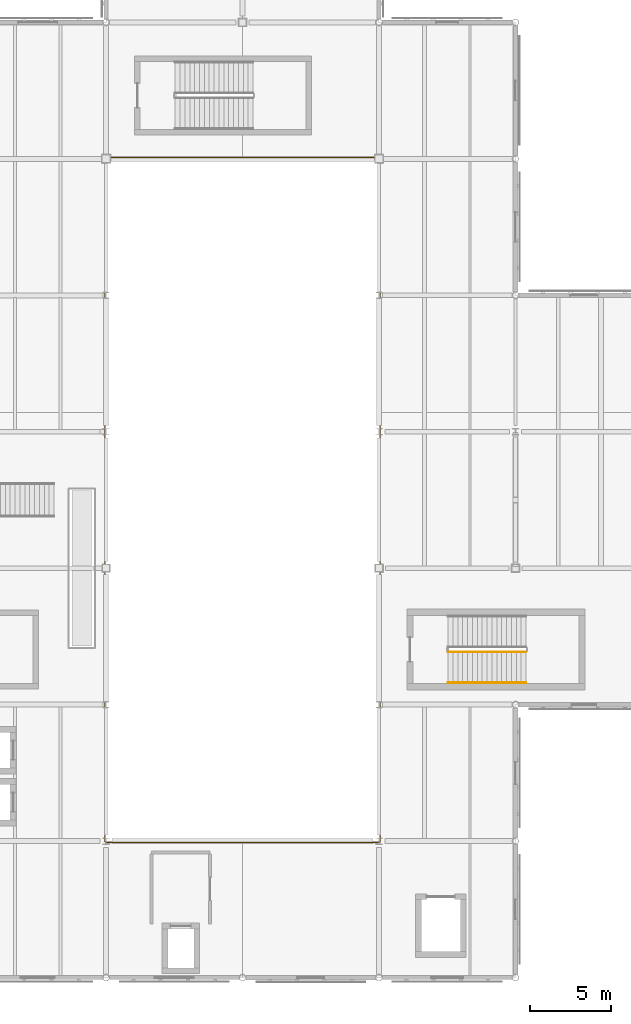
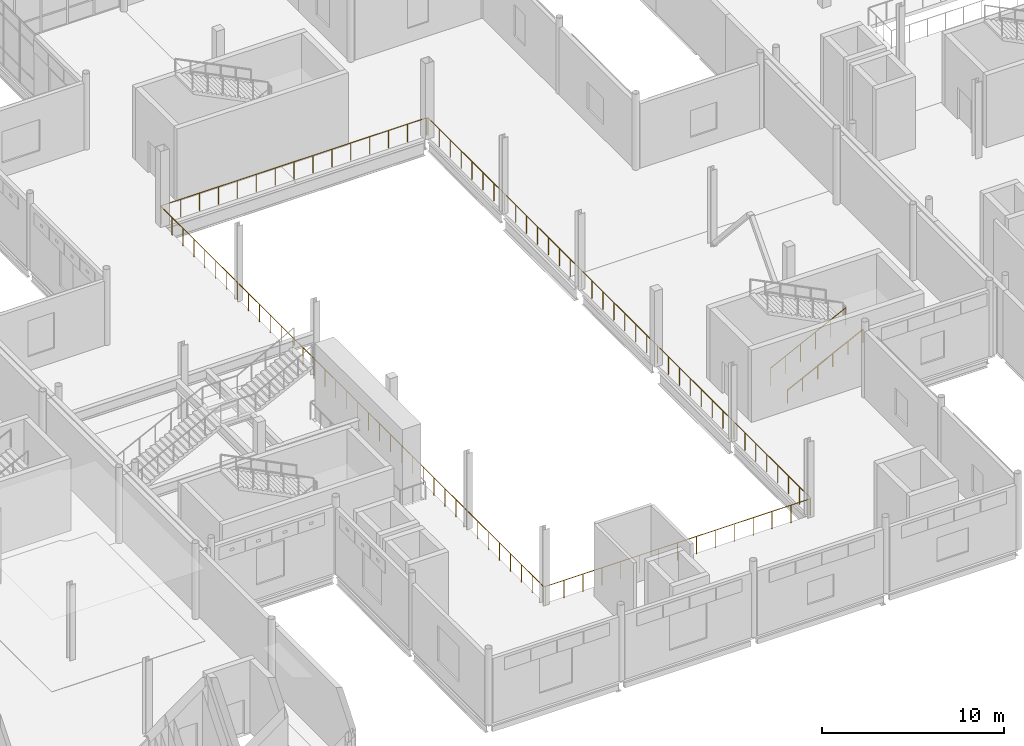
# One storey, part 92 of 104: 3 railings.
"""IFC4 building model written with IfcOpenShell, lengths in metres."""

from ifc_helpers import new_model, si_unit, direction, frame, origin, origin_2d, place, context, subcontext, project, spatial, circle, extrude, material, type_object, element, save


model = new_model("IFC4")

# Units and contexts
model_context = context("Model", 3, precision=1e-05, world=origin(), true_north=direction((0.0, 1.0)))
body_context = subcontext(model_context, "Body", "Model", "MODEL_VIEW")
ifc_project = project(units=[si_unit("LENGTHUNIT", "METRE"), si_unit("AREAUNIT", "SQUARE_METRE"), si_unit("VOLUMEUNIT", "CUBIC_METRE"), si_unit("PLANEANGLEUNIT", "RADIAN"), si_unit("MASSUNIT", "GRAM", prefix="KILO"), si_unit("THERMODYNAMICTEMPERATUREUNIT", "KELVIN")], contexts=[model_context])

# Site, building, storey
site_placement = place(None, origin())
site = spatial("IfcSite", under=ifc_project, at=site_placement, CompositionType="ELEMENT")
building_placement = place(site_placement, origin())
building = spatial("IfcBuilding", under=site, at=building_placement, Name="Lustrewick Department Store", CompositionType="ELEMENT")
storey_placement = place(building_placement, frame((0.0, 0.0, 11.39990234375)))
storey = spatial("IfcBuildingStorey", under=building, at=storey_placement, Name="L03", CompositionType="ELEMENT", Elevation=11.39990234375)

# Railings
ifc_material_1 = material(Name="Laminated safety glass and bronze atrium balustrade", Category="glass")
railing_type_1 = type_object("IfcRailingType", Name="RL-BAL", PredefinedType="BALUSTRADE", material=ifc_material_1)
railing_1_placement = place(storey_placement, frame((92.39990234375, 50.320068359375, 0.0)))
element("IfcRailing", 1, at=railing_1_placement, inside=storey, type_object=railing_type_1, Name="L03 Arcade Gallery Balustrade 0026", PredefinedType="BALUSTRADE", context=body_context, shape_type="SweptSolid", body=[
    extrude(circle(Radius=0.02392578125, at=origin_2d()), frame((0.0, 0.0, 1.17578125), z_axis=(-1.0, 0.0, 0.0), x_axis=(0.0, -1.0, 0.0)), (0.0, 0.0, 1.0), 16.7998046875),
    extrude(circle(Radius=0.02392578125, at=origin_2d()), frame((-16.7998046875, 0.0, 1.17578125), z_axis=(-0.999512076087, 0.031234752378, 0.0), x_axis=(-0.031234752378, -0.999512076087, 0.0)), (0.0, 0.0, 1.0), 0.0078125),
    extrude(circle(Radius=0.02392578125, at=origin_2d()), frame((-16.8076171875, 0.000244140625, 1.17578125), z_axis=(-0.988012033751, 0.154376880274, 0.0), x_axis=(-0.154376880274, -0.988012033751, 0.0)), (0.0, 0.0, 1.0), 0.0078125),
    extrude(circle(Radius=0.02392578125, at=origin_2d()), frame((-16.8154296875, 0.00146484375, 1.17578125), z_axis=(-0.968277323709, 0.249878019022, 0.0), x_axis=(-0.249878019022, -0.968277323709, 0.0)), (0.0, 0.0, 1.0), 0.0078125),
    extrude(circle(Radius=0.02392578125, at=origin_2d()), frame((-16.822998046875, 0.00341796875, 1.17578125), z_axis=(-0.942427745481, 0.334409845171, 0.0), x_axis=(-0.334409845171, -0.942427745481, 0.0)), (0.0, 0.0, 1.0), 0.008056640625),
    extrude(circle(Radius=0.02392578125, at=origin_2d()), frame((-16.83056640625, 0.006103515625, 1.17578125), z_axis=(-0.912509324515, 0.409055904093, 0.0), x_axis=(-0.409055904093, -0.912509324515, 0.0)), (0.0, 0.0, 1.0), 0.0078125),
    extrude(circle(Radius=0.02392578125, at=origin_2d()), frame((-16.837646484375, 0.00927734375, 1.17578125), z_axis=(-0.84623284009, 0.532813269686, 0.0), x_axis=(-0.532813269686, -0.84623284009, 0.0)), (0.0, 0.0, 1.0), 0.0078125),
    extrude(circle(Radius=0.02392578125, at=origin_2d()), frame((-16.84423828125, 0.013427734375, 1.17578125), z_axis=(-0.807391122258, 0.590016589342, 0.0), x_axis=(-0.590016589342, -0.807391122258, 0.0)), (0.0, 0.0, 1.0), 0.0078125),
    extrude(circle(Radius=0.02392578125, at=origin_2d()), frame((-16.8505859375, 0.01806640625, 1.17578125), z_axis=(-0.737154140201, 0.675724628517, 0.0), x_axis=(-0.675724628517, -0.737154140201, 0.0)), (0.0, 0.0, 1.0), 0.008056640625),
    extrude(circle(Radius=0.02392578125, at=origin_2d()), frame((-16.8564453125, 0.0234375, 1.17578125), z_axis=(-0.691222645967, 0.722641857148, 0.0), x_axis=(-0.722641857148, -0.691222645967, 0.0)), (0.0, 0.0, 1.0), 0.0078125),
    extrude(circle(Radius=0.02392578125, at=origin_2d()), frame((-16.86181640625, 0.029052734375, 1.17578125), z_axis=(-0.575493406175, 0.817806419301, 0.0), x_axis=(-0.817806419301, -0.575493406175, 0.0)), (0.0, 0.0, 1.0), 0.008056640625),
    extrude(circle(Radius=0.02392578125, at=origin_2d()), frame((-16.866455078125, 0.03564453125, 1.17578125), z_axis=(-0.532813269686, 0.84623284009, 0.0), x_axis=(-0.84623284009, -0.532813269686, 0.0)), (0.0, 0.0, 1.0), 0.0078125),
    extrude(circle(Radius=0.02392578125, at=origin_2d()), frame((-16.87060546875, 0.042236328125, 1.17578125), z_axis=(-0.409055904093, 0.912509324515, 0.0), x_axis=(-0.912509324515, -0.409055904093, 0.0)), (0.0, 0.0, 1.0), 0.0078125),
    extrude(circle(Radius=0.02392578125, at=origin_2d()), frame((-16.873779296875, 0.04931640625, 1.17578125), z_axis=(-0.344254649158, 0.938876315887, 0.0), x_axis=(-0.938876315887, -0.344254649158, 0.0)), (0.0, 0.0, 1.0), 0.0078125),
    extrude(circle(Radius=0.02392578125, at=origin_2d()), frame((-16.87646484375, 0.056640625, 1.17578125), z_axis=(-0.242535625036, 0.970142500145, 0.0), x_axis=(-0.970142500145, -0.242535625036, 0.0)), (0.0, 0.0, 1.0), 0.008056640625),
    extrude(circle(Radius=0.02392578125, at=origin_2d()), frame((-16.87841796875, 0.064453125, 1.17578125), z_axis=(-0.12797133763, 0.991777866634, 0.0), x_axis=(-0.991777866634, -0.12797133763, 0.0)), (0.0, 0.0, 1.0), 0.007568359375),
    extrude(circle(Radius=0.02392578125, at=origin_2d()), frame((-16.87939453125, 0.072021484375, 1.17578125), z_axis=(-0.062378286155, 0.998052578483, 0.0), x_axis=(-0.998052578483, -0.062378286155, 0.0)), (0.0, 0.0, 1.0), 0.0078125),
    extrude(circle(Radius=0.02392578125, at=origin_2d()), frame((-16.8798828125, 0.079833984375, 1.17578125), z_axis=(0.0, 1.0, 0.0), x_axis=(-1.0, 0.0, 0.0)), (0.0, 0.0, 1.0), 42.0),
    extrude(circle(Radius=0.02392578125, at=origin_2d()), frame((-16.8798828125, 42.079833984375, 1.17578125), z_axis=(0.062378286155, 0.998052578483, 0.0), x_axis=(-0.998052578483, 0.062378286155, 0.0)), (0.0, 0.0, 1.0), 0.0078125),
    extrude(circle(Radius=0.02392578125, at=origin_2d()), frame((-16.87939453125, 42.087646484375, 1.17578125), z_axis=(0.124034734589, 0.992277876714, 0.0), x_axis=(-0.992277876714, 0.124034734589, 0.0)), (0.0, 0.0, 1.0), 0.0078125),
    extrude(circle(Radius=0.02392578125, at=origin_2d()), frame((-16.87841796875, 42.095458984375, 1.17578125), z_axis=(0.249878019022, 0.968277323709, 0.0), x_axis=(-0.968277323709, 0.249878019022, 0.0)), (0.0, 0.0, 1.0), 0.0078125),
    extrude(circle(Radius=0.02392578125, at=origin_2d()), frame((-16.87646484375, 42.10302734375, 1.17578125), z_axis=(0.334409845171, 0.942427745481, 0.0), x_axis=(-0.942427745481, 0.334409845171, 0.0)), (0.0, 0.0, 1.0), 0.008056640625),
    extrude(circle(Radius=0.02392578125, at=origin_2d()), frame((-16.873779296875, 42.110595703125, 1.17578125), z_axis=(0.409055904093, 0.912509324515, 0.0), x_axis=(-0.912509324515, 0.409055904093, 0.0)), (0.0, 0.0, 1.0), 0.0078125),
    extrude(circle(Radius=0.02392578125, at=origin_2d()), frame((-16.87060546875, 42.11767578125, 1.17578125), z_axis=(0.532813269686, 0.84623284009, 0.0), x_axis=(-0.84623284009, 0.532813269686, 0.0)), (0.0, 0.0, 1.0), 0.0078125),
    extrude(circle(Radius=0.02392578125, at=origin_2d()), frame((-16.866455078125, 42.124267578125, 1.17578125), z_axis=(0.590016589342, 0.807391122258, 0.0), x_axis=(-0.807391122258, 0.590016589342, 0.0)), (0.0, 0.0, 1.0), 0.0078125),
    extrude(circle(Radius=0.02392578125, at=origin_2d()), frame((-16.86181640625, 42.130615234375, 1.17578125), z_axis=(0.675724628517, 0.737154140201, 0.0), x_axis=(-0.737154140201, 0.675724628517, 0.0)), (0.0, 0.0, 1.0), 0.008056640625),
    extrude(circle(Radius=0.02392578125, at=origin_2d()), frame((-16.8564453125, 42.136474609375, 1.17578125), z_axis=(0.737154140201, 0.675724628517, 0.0), x_axis=(-0.675724628517, 0.737154140201, 0.0)), (0.0, 0.0, 1.0), 0.008056640625),
    extrude(circle(Radius=0.02392578125, at=origin_2d()), frame((-16.8505859375, 42.141845703125, 1.17578125), z_axis=(0.807391122258, 0.590016589342, 0.0), x_axis=(-0.590016589342, 0.807391122258, 0.0)), (0.0, 0.0, 1.0), 0.0078125),
    extrude(circle(Radius=0.02392578125, at=origin_2d()), frame((-16.84423828125, 42.146484375, 1.17578125), z_axis=(0.84623284009, 0.532813269686, 0.0), x_axis=(-0.532813269686, 0.84623284009, 0.0)), (0.0, 0.0, 1.0), 0.0078125),
    extrude(circle(Radius=0.02392578125, at=origin_2d()), frame((-16.837646484375, 42.150634765625, 1.17578125), z_axis=(0.912509324515, 0.409055904093, 0.0), x_axis=(-0.409055904093, 0.912509324515, 0.0)), (0.0, 0.0, 1.0), 0.0078125),
    extrude(circle(Radius=0.02392578125, at=origin_2d()), frame((-16.83056640625, 42.15380859375, 1.17578125), z_axis=(0.942427745481, 0.334409845171, 0.0), x_axis=(-0.334409845171, 0.942427745481, 0.0)), (0.0, 0.0, 1.0), 0.008056640625),
    extrude(circle(Radius=0.02392578125, at=origin_2d()), frame((-16.822998046875, 42.156494140625, 1.17578125), z_axis=(0.968277323709, 0.249878019022, 0.0), x_axis=(-0.249878019022, 0.968277323709, 0.0)), (0.0, 0.0, 1.0), 0.0078125),
    extrude(circle(Radius=0.02392578125, at=origin_2d()), frame((-16.8154296875, 42.158447265625, 1.17578125), z_axis=(0.992277876714, 0.124034734589, 0.0), x_axis=(-0.124034734589, 0.992277876714, 0.0)), (0.0, 0.0, 1.0), 0.0078125),
    extrude(circle(Radius=0.02392578125, at=origin_2d()), frame((-16.8076171875, 42.159423828125, 1.17578125), z_axis=(0.998052578483, 0.062378286155, 0.0), x_axis=(-0.062378286155, 0.998052578483, 0.0)), (0.0, 0.0, 1.0), 0.0078125),
    extrude(circle(Radius=0.02392578125, at=origin_2d()), frame((-16.7998046875, 42.159912109375, 1.17578125), z_axis=(1.0, 0.0, 0.0), x_axis=(0.0, 1.0, 0.0)), (0.0, 0.0, 1.0), 16.7998046875),
    extrude(circle(Radius=0.02392578125, at=origin_2d()), frame((0.0, 42.159912109375, 1.17578125), z_axis=(0.998052578483, -0.062378286155, 0.0), x_axis=(0.062378286155, 0.998052578483, 0.0)), (0.0, 0.0, 1.0), 0.0078125),
    extrude(circle(Radius=0.02392578125, at=origin_2d()), frame((0.0078125, 42.159423828125, 1.17578125), z_axis=(0.992277876714, -0.124034734589, 0.0), x_axis=(0.124034734589, 0.992277876714, 0.0)), (0.0, 0.0, 1.0), 0.0078125),
    extrude(circle(Radius=0.02392578125, at=origin_2d()), frame((0.015625, 42.158447265625, 1.17578125), z_axis=(0.968277323709, -0.249878019022, 0.0), x_axis=(0.249878019022, 0.968277323709, 0.0)), (0.0, 0.0, 1.0), 0.0078125),
    extrude(circle(Radius=0.02392578125, at=origin_2d()), frame((0.023193359375, 42.156494140625, 1.17578125), z_axis=(0.942427745481, -0.334409845171, 0.0), x_axis=(0.334409845171, 0.942427745481, 0.0)), (0.0, 0.0, 1.0), 0.008056640625),
    extrude(circle(Radius=0.02392578125, at=origin_2d()), frame((0.03076171875, 42.15380859375, 1.17578125), z_axis=(0.912509324515, -0.409055904093, 0.0), x_axis=(0.409055904093, 0.912509324515, 0.0)), (0.0, 0.0, 1.0), 0.0078125),
    extrude(circle(Radius=0.02392578125, at=origin_2d()), frame((0.037841796875, 42.150634765625, 1.17578125), z_axis=(0.84623284009, -0.532813269686, 0.0), x_axis=(0.532813269686, 0.84623284009, 0.0)), (0.0, 0.0, 1.0), 0.0078125),
    extrude(circle(Radius=0.02392578125, at=origin_2d()), frame((0.04443359375, 42.146484375, 1.17578125), z_axis=(0.807391122258, -0.590016589342, 0.0), x_axis=(0.590016589342, 0.807391122258, 0.0)), (0.0, 0.0, 1.0), 0.0078125),
    extrude(circle(Radius=0.02392578125, at=origin_2d()), frame((0.05078125, 42.141845703125, 1.17578125), z_axis=(0.737154140201, -0.675724628517, 0.0), x_axis=(0.675724628517, 0.737154140201, 0.0)), (0.0, 0.0, 1.0), 0.008056640625),
    extrude(circle(Radius=0.02392578125, at=origin_2d()), frame((0.056640625, 42.136474609375, 1.17578125), z_axis=(0.675724628517, -0.737154140201, 0.0), x_axis=(0.737154140201, 0.675724628517, 0.0)), (0.0, 0.0, 1.0), 0.008056640625),
    extrude(circle(Radius=0.02392578125, at=origin_2d()), frame((0.06201171875, 42.130615234375, 1.17578125), z_axis=(0.590016589342, -0.807391122258, 0.0), x_axis=(0.807391122258, 0.590016589342, 0.0)), (0.0, 0.0, 1.0), 0.0078125),
    extrude(circle(Radius=0.02392578125, at=origin_2d()), frame((0.066650390625, 42.124267578125, 1.17578125), z_axis=(0.532813269686, -0.84623284009, 0.0), x_axis=(0.84623284009, 0.532813269686, 0.0)), (0.0, 0.0, 1.0), 0.0078125),
    extrude(circle(Radius=0.02392578125, at=origin_2d()), frame((0.07080078125, 42.11767578125, 1.17578125), z_axis=(0.409055904093, -0.912509324515, 0.0), x_axis=(0.912509324515, 0.409055904093, 0.0)), (0.0, 0.0, 1.0), 0.0078125),
    extrude(circle(Radius=0.02392578125, at=origin_2d()), frame((0.073974609375, 42.110595703125, 1.17578125), z_axis=(0.334409845171, -0.942427745481, 0.0), x_axis=(0.942427745481, 0.334409845171, 0.0)), (0.0, 0.0, 1.0), 0.008056640625),
    extrude(circle(Radius=0.02392578125, at=origin_2d()), frame((0.07666015625, 42.10302734375, 1.17578125), z_axis=(0.249878019022, -0.968277323709, 0.0), x_axis=(0.968277323709, 0.249878019022, 0.0)), (0.0, 0.0, 1.0), 0.0078125),
    extrude(circle(Radius=0.02392578125, at=origin_2d()), frame((0.07861328125, 42.095458984375, 1.17578125), z_axis=(0.124034734589, -0.992277876714, 0.0), x_axis=(0.992277876714, 0.124034734589, 0.0)), (0.0, 0.0, 1.0), 0.0078125),
    extrude(circle(Radius=0.02392578125, at=origin_2d()), frame((0.07958984375, 42.087646484375, 1.17578125), z_axis=(0.062378286155, -0.998052578483, 0.0), x_axis=(0.998052578483, 0.062378286155, 0.0)), (0.0, 0.0, 1.0), 0.0078125),
    extrude(circle(Radius=0.02392578125, at=origin_2d()), frame((0.080078125, 42.079833984375, 1.17578125), z_axis=(0.0, -1.0, 0.0), x_axis=(1.0, 0.0, 0.0)), (0.0, 0.0, 1.0), 42.0),
    extrude(circle(Radius=0.02392578125, at=origin_2d()), frame((0.080078125, 0.079833984375, 1.17578125), z_axis=(-0.062378286155, -0.998052578483, 0.0), x_axis=(0.998052578483, -0.062378286155, 0.0)), (0.0, 0.0, 1.0), 0.0078125),
    extrude(circle(Radius=0.02392578125, at=origin_2d()), frame((0.07958984375, 0.072021484375, 1.17578125), z_axis=(-0.12797133763, -0.991777866634, 0.0), x_axis=(0.991777866634, -0.12797133763, 0.0)), (0.0, 0.0, 1.0), 0.007568359375),
    extrude(circle(Radius=0.02392578125, at=origin_2d()), frame((0.07861328125, 0.064453125, 1.17578125), z_axis=(-0.242535625036, -0.970142500145, 0.0), x_axis=(0.970142500145, -0.242535625036, 0.0)), (0.0, 0.0, 1.0), 0.008056640625),
    extrude(circle(Radius=0.02392578125, at=origin_2d()), frame((0.07666015625, 0.056640625, 1.17578125), z_axis=(-0.344254649158, -0.938876315887, 0.0), x_axis=(0.938876315887, -0.344254649158, 0.0)), (0.0, 0.0, 1.0), 0.0078125),
    extrude(circle(Radius=0.02392578125, at=origin_2d()), frame((0.073974609375, 0.04931640625, 1.17578125), z_axis=(-0.409055904093, -0.912509324515, 0.0), x_axis=(0.912509324515, -0.409055904093, 0.0)), (0.0, 0.0, 1.0), 0.0078125),
    extrude(circle(Radius=0.02392578125, at=origin_2d()), frame((0.07080078125, 0.042236328125, 1.17578125), z_axis=(-0.532813269686, -0.84623284009, 0.0), x_axis=(0.84623284009, -0.532813269686, 0.0)), (0.0, 0.0, 1.0), 0.0078125),
    extrude(circle(Radius=0.02392578125, at=origin_2d()), frame((0.066650390625, 0.03564453125, 1.17578125), z_axis=(-0.575493406175, -0.817806419301, 0.0), x_axis=(0.817806419301, -0.575493406175, 0.0)), (0.0, 0.0, 1.0), 0.008056640625),
    extrude(circle(Radius=0.02392578125, at=origin_2d()), frame((0.06201171875, 0.029052734375, 1.17578125), z_axis=(-0.691222645967, -0.722641857148, 0.0), x_axis=(0.722641857148, -0.691222645967, 0.0)), (0.0, 0.0, 1.0), 0.0078125),
    extrude(circle(Radius=0.02392578125, at=origin_2d()), frame((0.056640625, 0.0234375, 1.17578125), z_axis=(-0.737154140201, -0.675724628517, 0.0), x_axis=(0.675724628517, -0.737154140201, 0.0)), (0.0, 0.0, 1.0), 0.008056640625),
    extrude(circle(Radius=0.02392578125, at=origin_2d()), frame((0.05078125, 0.01806640625, 1.17578125), z_axis=(-0.807391122258, -0.590016589342, 0.0), x_axis=(0.590016589342, -0.807391122258, 0.0)), (0.0, 0.0, 1.0), 0.0078125),
    extrude(circle(Radius=0.02392578125, at=origin_2d()), frame((0.04443359375, 0.013427734375, 1.17578125), z_axis=(-0.84623284009, -0.532813269686, 0.0), x_axis=(0.532813269686, -0.84623284009, 0.0)), (0.0, 0.0, 1.0), 0.0078125),
    extrude(circle(Radius=0.02392578125, at=origin_2d()), frame((0.037841796875, 0.00927734375, 1.17578125), z_axis=(-0.912509324515, -0.409055904093, 0.0), x_axis=(0.409055904093, -0.912509324515, 0.0)), (0.0, 0.0, 1.0), 0.0078125),
    extrude(circle(Radius=0.02392578125, at=origin_2d()), frame((0.03076171875, 0.006103515625, 1.17578125), z_axis=(-0.942427745481, -0.334409845171, 0.0), x_axis=(0.334409845171, -0.942427745481, 0.0)), (0.0, 0.0, 1.0), 0.008056640625),
    extrude(circle(Radius=0.02392578125, at=origin_2d()), frame((0.023193359375, 0.00341796875, 1.17578125), z_axis=(-0.968277323709, -0.249878019022, 0.0), x_axis=(0.249878019022, -0.968277323709, 0.0)), (0.0, 0.0, 1.0), 0.0078125),
    extrude(circle(Radius=0.02392578125, at=origin_2d()), frame((0.015625, 0.00146484375, 1.17578125), z_axis=(-0.988012033751, -0.154376880274, 0.0), x_axis=(0.154376880274, -0.988012033751, 0.0)), (0.0, 0.0, 1.0), 0.0078125),
    extrude(circle(Radius=0.02392578125, at=origin_2d()), frame((0.0078125, 0.000244140625, 1.17578125), z_axis=(-0.999512076087, -0.031234752378, 0.0), x_axis=(0.031234752378, -0.999512076087, 0.0)), (0.0, 0.0, 1.0), 0.0078125),
    extrude(circle(Radius=0.02099609375, at=origin_2d()), origin(), (0.0, 0.0, 1.0), 1.15185546875),
    extrude(circle(Radius=0.02099609375, at=origin_2d()), frame((-1.199951171875, 0.0, 0.0)), (0.0, 0.0, 1.0), 1.15185546875),
    extrude(circle(Radius=0.02099609375, at=origin_2d()), frame((-2.39990234375, 0.0, 0.0)), (0.0, 0.0, 1.0), 1.15185546875),
    extrude(circle(Radius=0.02099609375, at=origin_2d()), frame((-3.599853515625, 0.0, 0.0)), (0.0, 0.0, 1.0), 1.15185546875),
    extrude(circle(Radius=0.02099609375, at=origin_2d()), frame((-4.800048828125, 0.0, 0.0)), (0.0, 0.0, 1.0), 1.15185546875),
    extrude(circle(Radius=0.02099609375, at=origin_2d()), frame((-6.0, 0.0, 0.0)), (0.0, 0.0, 1.0), 1.15185546875),
    extrude(circle(Radius=0.02099609375, at=origin_2d()), frame((-7.199951171875, 0.0, 0.0)), (0.0, 0.0, 1.0), 1.15185546875),
    extrude(circle(Radius=0.02099609375, at=origin_2d()), frame((-8.39990234375, 0.0, 0.0)), (0.0, 0.0, 1.0), 1.15185546875),
    extrude(circle(Radius=0.02099609375, at=origin_2d()), frame((-9.599853515625, 0.0, 0.0)), (0.0, 0.0, 1.0), 1.15185546875),
    extrude(circle(Radius=0.02099609375, at=origin_2d()), frame((-10.7998046875, 0.0, 0.0)), (0.0, 0.0, 1.0), 1.15185546875),
    extrude(circle(Radius=0.02099609375, at=origin_2d()), frame((-11.999755859375, 0.0, 0.0)), (0.0, 0.0, 1.0), 1.15185546875),
    extrude(circle(Radius=0.02099609375, at=origin_2d()), frame((-13.199951171875, 0.0, 0.0)), (0.0, 0.0, 1.0), 1.15185546875),
    extrude(circle(Radius=0.02099609375, at=origin_2d()), frame((-14.39990234375, 0.0, 0.0)), (0.0, 0.0, 1.0), 1.15185546875),
    extrude(circle(Radius=0.02099609375, at=origin_2d()), frame((-15.599853515625, 0.0, 0.0)), (0.0, 0.0, 1.0), 1.15185546875),
    extrude(circle(Radius=0.02099609375, at=origin_2d()), frame((-16.7998046875, 0.0, 0.0)), (0.0, 0.0, 1.0), 1.15185546875),
    extrude(circle(Radius=0.02099609375, at=origin_2d()), frame((-16.87060546875, 0.042236328125, 0.0)), (0.0, 0.0, 1.0), 1.15185546875),
    extrude(circle(Radius=0.02099609375, at=origin_2d()), frame((-16.8798828125, 1.27978515625, 0.0)), (0.0, 0.0, 1.0), 1.15185546875),
    extrude(circle(Radius=0.02099609375, at=origin_2d()), frame((-16.8798828125, 2.479736328125, 0.0)), (0.0, 0.0, 1.0), 1.15185546875),
    extrude(circle(Radius=0.02099609375, at=origin_2d()), frame((-16.8798828125, 3.679931640625, 0.0)), (0.0, 0.0, 1.0), 1.15185546875),
    extrude(circle(Radius=0.02099609375, at=origin_2d()), frame((-16.8798828125, 4.8798828125, 0.0)), (0.0, 0.0, 1.0), 1.15185546875),
    extrude(circle(Radius=0.02099609375, at=origin_2d()), frame((-16.8798828125, 6.079833984375, 0.0)), (0.0, 0.0, 1.0), 1.15185546875),
    extrude(circle(Radius=0.02099609375, at=origin_2d()), frame((-16.8798828125, 7.27978515625, 0.0)), (0.0, 0.0, 1.0), 1.15185546875),
    extrude(circle(Radius=0.02099609375, at=origin_2d()), frame((-16.8798828125, 8.479736328125, 0.0)), (0.0, 0.0, 1.0), 1.15185546875),
    extrude(circle(Radius=0.02099609375, at=origin_2d()), frame((-16.8798828125, 9.679931640625, 0.0)), (0.0, 0.0, 1.0), 1.15185546875),
    extrude(circle(Radius=0.02099609375, at=origin_2d()), frame((-16.8798828125, 10.8798828125, 0.0)), (0.0, 0.0, 1.0), 1.15185546875),
    extrude(circle(Radius=0.02099609375, at=origin_2d()), frame((-16.8798828125, 12.079833984375, 0.0)), (0.0, 0.0, 1.0), 1.15185546875),
    extrude(circle(Radius=0.02099609375, at=origin_2d()), frame((-16.8798828125, 13.27978515625, 0.0)), (0.0, 0.0, 1.0), 1.15185546875),
    extrude(circle(Radius=0.02099609375, at=origin_2d()), frame((-16.8798828125, 14.479736328125, 0.0)), (0.0, 0.0, 1.0), 1.15185546875),
    extrude(circle(Radius=0.02099609375, at=origin_2d()), frame((-16.8798828125, 15.679931640625, 0.0)), (0.0, 0.0, 1.0), 1.15185546875),
    extrude(circle(Radius=0.02099609375, at=origin_2d()), frame((-16.8798828125, 16.8798828125, 0.0)), (0.0, 0.0, 1.0), 1.15185546875),
    extrude(circle(Radius=0.02099609375, at=origin_2d()), frame((-16.8798828125, 18.079833984375, 0.0)), (0.0, 0.0, 1.0), 1.15185546875),
    extrude(circle(Radius=0.02099609375, at=origin_2d()), frame((-16.8798828125, 19.27978515625, 0.0)), (0.0, 0.0, 1.0), 1.15185546875),
    extrude(circle(Radius=0.02099609375, at=origin_2d()), frame((-16.8798828125, 20.479736328125, 0.0)), (0.0, 0.0, 1.0), 1.15185546875),
    extrude(circle(Radius=0.02099609375, at=origin_2d()), frame((-16.8798828125, 21.679931640625, 0.0)), (0.0, 0.0, 1.0), 1.15185546875),
    extrude(circle(Radius=0.02099609375, at=origin_2d()), frame((-16.8798828125, 22.8798828125, 0.0)), (0.0, 0.0, 1.0), 1.15185546875),
    extrude(circle(Radius=0.02099609375, at=origin_2d()), frame((-16.8798828125, 24.079833984375, 0.0)), (0.0, 0.0, 1.0), 1.15185546875),
    extrude(circle(Radius=0.02099609375, at=origin_2d()), frame((-16.8798828125, 25.27978515625, 0.0)), (0.0, 0.0, 1.0), 1.15185546875),
    extrude(circle(Radius=0.02099609375, at=origin_2d()), frame((-16.8798828125, 26.479736328125, 0.0)), (0.0, 0.0, 1.0), 1.15185546875),
    extrude(circle(Radius=0.02099609375, at=origin_2d()), frame((-16.8798828125, 27.679931640625, 0.0)), (0.0, 0.0, 1.0), 1.15185546875),
    extrude(circle(Radius=0.02099609375, at=origin_2d()), frame((-16.8798828125, 28.8798828125, 0.0)), (0.0, 0.0, 1.0), 1.15185546875),
    extrude(circle(Radius=0.02099609375, at=origin_2d()), frame((-16.8798828125, 30.079833984375, 0.0)), (0.0, 0.0, 1.0), 1.15185546875),
    extrude(circle(Radius=0.02099609375, at=origin_2d()), frame((-16.8798828125, 31.27978515625, 0.0)), (0.0, 0.0, 1.0), 1.15185546875),
    extrude(circle(Radius=0.02099609375, at=origin_2d()), frame((-16.8798828125, 32.479736328125, 0.0)), (0.0, 0.0, 1.0), 1.15185546875),
    extrude(circle(Radius=0.02099609375, at=origin_2d()), frame((-16.8798828125, 33.679931640625, 0.0)), (0.0, 0.0, 1.0), 1.15185546875),
    extrude(circle(Radius=0.02099609375, at=origin_2d()), frame((-16.8798828125, 34.8798828125, 0.0)), (0.0, 0.0, 1.0), 1.15185546875),
    extrude(circle(Radius=0.02099609375, at=origin_2d()), frame((-16.8798828125, 36.079833984375, 0.0)), (0.0, 0.0, 1.0), 1.15185546875),
    extrude(circle(Radius=0.02099609375, at=origin_2d()), frame((-16.8798828125, 37.27978515625, 0.0)), (0.0, 0.0, 1.0), 1.15185546875),
    extrude(circle(Radius=0.02099609375, at=origin_2d()), frame((-16.8798828125, 38.479736328125, 0.0)), (0.0, 0.0, 1.0), 1.15185546875),
    extrude(circle(Radius=0.02099609375, at=origin_2d()), frame((-16.8798828125, 39.679931640625, 0.0)), (0.0, 0.0, 1.0), 1.15185546875),
    extrude(circle(Radius=0.02099609375, at=origin_2d()), frame((-16.8798828125, 40.8798828125, 0.0)), (0.0, 0.0, 1.0), 1.15185546875),
    extrude(circle(Radius=0.02099609375, at=origin_2d()), frame((-16.8798828125, 42.079833984375, 0.0)), (0.0, 0.0, 1.0), 1.15185546875),
    extrude(circle(Radius=0.02099609375, at=origin_2d()), frame((-16.837646484375, 42.150634765625, 0.0)), (0.0, 0.0, 1.0), 1.15185546875),
    extrude(circle(Radius=0.02099609375, at=origin_2d()), frame((-15.599853515625, 42.159912109375, 0.0)), (0.0, 0.0, 1.0), 1.15185546875),
    extrude(circle(Radius=0.02099609375, at=origin_2d()), frame((-14.39990234375, 42.159912109375, 0.0)), (0.0, 0.0, 1.0), 1.15185546875),
    extrude(circle(Radius=0.02099609375, at=origin_2d()), frame((-13.199951171875, 42.159912109375, 0.0)), (0.0, 0.0, 1.0), 1.15185546875),
    extrude(circle(Radius=0.02099609375, at=origin_2d()), frame((-11.999755859375, 42.159912109375, 0.0)), (0.0, 0.0, 1.0), 1.15185546875),
    extrude(circle(Radius=0.02099609375, at=origin_2d()), frame((-10.7998046875, 42.159912109375, 0.0)), (0.0, 0.0, 1.0), 1.15185546875),
    extrude(circle(Radius=0.02099609375, at=origin_2d()), frame((-9.599853515625, 42.159912109375, 0.0)), (0.0, 0.0, 1.0), 1.15185546875),
    extrude(circle(Radius=0.02099609375, at=origin_2d()), frame((-8.39990234375, 42.159912109375, 0.0)), (0.0, 0.0, 1.0), 1.15185546875),
    extrude(circle(Radius=0.02099609375, at=origin_2d()), frame((-7.199951171875, 42.159912109375, 0.0)), (0.0, 0.0, 1.0), 1.15185546875),
    extrude(circle(Radius=0.02099609375, at=origin_2d()), frame((-6.0, 42.159912109375, 0.0)), (0.0, 0.0, 1.0), 1.15185546875),
    extrude(circle(Radius=0.02099609375, at=origin_2d()), frame((-4.800048828125, 42.159912109375, 0.0)), (0.0, 0.0, 1.0), 1.15185546875),
    extrude(circle(Radius=0.02099609375, at=origin_2d()), frame((-3.599853515625, 42.159912109375, 0.0)), (0.0, 0.0, 1.0), 1.15185546875),
    extrude(circle(Radius=0.02099609375, at=origin_2d()), frame((-2.39990234375, 42.159912109375, 0.0)), (0.0, 0.0, 1.0), 1.15185546875),
    extrude(circle(Radius=0.02099609375, at=origin_2d()), frame((-1.199951171875, 42.159912109375, 0.0)), (0.0, 0.0, 1.0), 1.15185546875),
    extrude(circle(Radius=0.02099609375, at=origin_2d()), frame((0.0, 42.159912109375, 0.0)), (0.0, 0.0, 1.0), 1.15185546875),
    extrude(circle(Radius=0.02099609375, at=origin_2d()), frame((0.07080078125, 42.11767578125, 0.0)), (0.0, 0.0, 1.0), 1.15185546875),
    extrude(circle(Radius=0.02099609375, at=origin_2d()), frame((0.080078125, 40.8798828125, 0.0)), (0.0, 0.0, 1.0), 1.15185546875),
    extrude(circle(Radius=0.02099609375, at=origin_2d()), frame((0.080078125, 39.679931640625, 0.0)), (0.0, 0.0, 1.0), 1.15185546875),
    extrude(circle(Radius=0.02099609375, at=origin_2d()), frame((0.080078125, 38.479736328125, 0.0)), (0.0, 0.0, 1.0), 1.15185546875),
    extrude(circle(Radius=0.02099609375, at=origin_2d()), frame((0.080078125, 37.27978515625, 0.0)), (0.0, 0.0, 1.0), 1.15185546875),
    extrude(circle(Radius=0.02099609375, at=origin_2d()), frame((0.080078125, 36.079833984375, 0.0)), (0.0, 0.0, 1.0), 1.15185546875),
    extrude(circle(Radius=0.02099609375, at=origin_2d()), frame((0.080078125, 34.8798828125, 0.0)), (0.0, 0.0, 1.0), 1.15185546875),
    extrude(circle(Radius=0.02099609375, at=origin_2d()), frame((0.080078125, 33.679931640625, 0.0)), (0.0, 0.0, 1.0), 1.15185546875),
    extrude(circle(Radius=0.02099609375, at=origin_2d()), frame((0.080078125, 32.479736328125, 0.0)), (0.0, 0.0, 1.0), 1.15185546875),
    extrude(circle(Radius=0.02099609375, at=origin_2d()), frame((0.080078125, 31.27978515625, 0.0)), (0.0, 0.0, 1.0), 1.15185546875),
    extrude(circle(Radius=0.02099609375, at=origin_2d()), frame((0.080078125, 30.079833984375, 0.0)), (0.0, 0.0, 1.0), 1.15185546875),
    extrude(circle(Radius=0.02099609375, at=origin_2d()), frame((0.080078125, 28.8798828125, 0.0)), (0.0, 0.0, 1.0), 1.15185546875),
    extrude(circle(Radius=0.02099609375, at=origin_2d()), frame((0.080078125, 27.679931640625, 0.0)), (0.0, 0.0, 1.0), 1.15185546875),
    extrude(circle(Radius=0.02099609375, at=origin_2d()), frame((0.080078125, 26.479736328125, 0.0)), (0.0, 0.0, 1.0), 1.15185546875),
    extrude(circle(Radius=0.02099609375, at=origin_2d()), frame((0.080078125, 25.27978515625, 0.0)), (0.0, 0.0, 1.0), 1.15185546875),
    extrude(circle(Radius=0.02099609375, at=origin_2d()), frame((0.080078125, 24.079833984375, 0.0)), (0.0, 0.0, 1.0), 1.15185546875),
    extrude(circle(Radius=0.02099609375, at=origin_2d()), frame((0.080078125, 22.8798828125, 0.0)), (0.0, 0.0, 1.0), 1.15185546875),
    extrude(circle(Radius=0.02099609375, at=origin_2d()), frame((0.080078125, 21.679931640625, 0.0)), (0.0, 0.0, 1.0), 1.15185546875),
    extrude(circle(Radius=0.02099609375, at=origin_2d()), frame((0.080078125, 20.479736328125, 0.0)), (0.0, 0.0, 1.0), 1.15185546875),
    extrude(circle(Radius=0.02099609375, at=origin_2d()), frame((0.080078125, 19.27978515625, 0.0)), (0.0, 0.0, 1.0), 1.15185546875),
    extrude(circle(Radius=0.02099609375, at=origin_2d()), frame((0.080078125, 18.079833984375, 0.0)), (0.0, 0.0, 1.0), 1.15185546875),
    extrude(circle(Radius=0.02099609375, at=origin_2d()), frame((0.080078125, 16.8798828125, 0.0)), (0.0, 0.0, 1.0), 1.15185546875),
    extrude(circle(Radius=0.02099609375, at=origin_2d()), frame((0.080078125, 15.679931640625, 0.0)), (0.0, 0.0, 1.0), 1.15185546875),
    extrude(circle(Radius=0.02099609375, at=origin_2d()), frame((0.080078125, 14.479736328125, 0.0)), (0.0, 0.0, 1.0), 1.15185546875),
    extrude(circle(Radius=0.02099609375, at=origin_2d()), frame((0.080078125, 13.27978515625, 0.0)), (0.0, 0.0, 1.0), 1.15185546875),
    extrude(circle(Radius=0.02099609375, at=origin_2d()), frame((0.080078125, 12.079833984375, 0.0)), (0.0, 0.0, 1.0), 1.15185546875),
    extrude(circle(Radius=0.02099609375, at=origin_2d()), frame((0.080078125, 10.8798828125, 0.0)), (0.0, 0.0, 1.0), 1.15185546875),
    extrude(circle(Radius=0.02099609375, at=origin_2d()), frame((0.080078125, 9.679931640625, 0.0)), (0.0, 0.0, 1.0), 1.15185546875),
    extrude(circle(Radius=0.02099609375, at=origin_2d()), frame((0.080078125, 8.479736328125, 0.0)), (0.0, 0.0, 1.0), 1.15185546875),
    extrude(circle(Radius=0.02099609375, at=origin_2d()), frame((0.080078125, 7.27978515625, 0.0)), (0.0, 0.0, 1.0), 1.15185546875),
    extrude(circle(Radius=0.02099609375, at=origin_2d()), frame((0.080078125, 6.079833984375, 0.0)), (0.0, 0.0, 1.0), 1.15185546875),
    extrude(circle(Radius=0.02099609375, at=origin_2d()), frame((0.080078125, 4.8798828125, 0.0)), (0.0, 0.0, 1.0), 1.15185546875),
    extrude(circle(Radius=0.02099609375, at=origin_2d()), frame((0.080078125, 3.679931640625, 0.0)), (0.0, 0.0, 1.0), 1.15185546875),
    extrude(circle(Radius=0.02099609375, at=origin_2d()), frame((0.080078125, 2.479736328125, 0.0)), (0.0, 0.0, 1.0), 1.15185546875),
    extrude(circle(Radius=0.02099609375, at=origin_2d()), frame((0.080078125, 1.27978515625, 0.0)), (0.0, 0.0, 1.0), 1.15185546875),
    extrude(circle(Radius=0.02099609375, at=origin_2d()), frame((0.080078125, 0.079833984375, 0.0)), (0.0, 0.0, 1.0), 1.15185546875),
])
ifc_material_2 = material(Name="Painted tubular steel stairwell guardrail", Category="steel")
railing_type_2 = type_object("IfcRailingType", Name="RL-STG", PredefinedType="GUARDRAIL", material=ifc_material_2)
railing_2_placement = place(storey_placement, frame((96.64990234375, 62.050048828125, 0.150146484375)))
element("IfcRailing", 2, at=railing_2_placement, inside=storey, type_object=railing_type_2, Name="L03 ST05 Stair Guard 1", PredefinedType="GUARDRAIL", context=body_context, shape_type="SweptSolid", body=[
    extrude(circle(Radius=0.02392578125, at=origin_2d()), frame((0.0, 0.0, 1.17578125), z_axis=(0.894436289399, 0.0, 0.44719539824), x_axis=(0.0, 1.0, 0.0)), (0.0, 0.0, 1.0), 5.366455078125),
    extrude(circle(Radius=0.02099609375, at=origin_2d()), origin(), (0.0, 0.0, 1.0), 1.15185546875),
    extrude(circle(Radius=0.02099609375, at=origin_2d()), frame((0.9599609375, 0.0, 0.47998046875)), (0.0, 0.0, 1.0), 1.15185546875),
    extrude(circle(Radius=0.02099609375, at=origin_2d()), frame((1.919921875, 0.0, 0.9599609375)), (0.0, 0.0, 1.0), 1.15185546875),
    extrude(circle(Radius=0.02099609375, at=origin_2d()), frame((2.880126953125, 0.0, 1.43994140625)), (0.0, 0.0, 1.0), 1.15185546875),
    extrude(circle(Radius=0.02099609375, at=origin_2d()), frame((3.840087890625, 0.0, 1.919921875)), (0.0, 0.0, 1.0), 1.15185546875),
    extrude(circle(Radius=0.02099609375, at=origin_2d()), frame((4.800048828125, 0.0, 2.39990234375)), (0.0, 0.0, 1.0), 1.15185546875),
])
ifc_material_3 = material(Name="Brushed stainless steel wall handrail", Category="steel")
railing_type_3 = type_object("IfcRailingType", Name="RL-STH", PredefinedType="HANDRAIL", material=ifc_material_3)
railing_3_placement = place(storey_placement, frame((96.64990234375, 60.14990234375, 0.150146484375)))
element("IfcRailing", 3, at=railing_3_placement, inside=storey, type_object=railing_type_3, Name="L03 ST05 Stair Handrail 1", PredefinedType="HANDRAIL", context=body_context, shape_type="SweptSolid", body=[
    extrude(circle(Radius=0.02392578125, at=origin_2d()), frame((0.0, 0.0, 0.8759765625), z_axis=(0.894436289399, 0.0, 0.44719539824), x_axis=(0.0, 1.0, 0.0)), (0.0, 0.0, 1.0), 5.366455078125),
    extrude(circle(Radius=0.02099609375, at=origin_2d()), origin(), (0.0, 0.0, 1.0), 0.851806640625),
    extrude(circle(Radius=0.02099609375, at=origin_2d()), frame((0.9599609375, 0.0, 0.47998046875)), (0.0, 0.0, 1.0), 0.851806640625),
    extrude(circle(Radius=0.02099609375, at=origin_2d()), frame((1.919921875, 0.0, 0.9599609375)), (0.0, 0.0, 1.0), 0.851806640625),
    extrude(circle(Radius=0.02099609375, at=origin_2d()), frame((2.880126953125, 0.0, 1.43994140625)), (0.0, 0.0, 1.0), 0.851806640625),
    extrude(circle(Radius=0.02099609375, at=origin_2d()), frame((3.840087890625, 0.0, 1.919921875)), (0.0, 0.0, 1.0), 0.851806640625),
    extrude(circle(Radius=0.02099609375, at=origin_2d()), frame((4.800048828125, 0.0, 2.39990234375)), (0.0, 0.0, 1.0), 0.851806640625),
])

save(model, "model.ifc")
